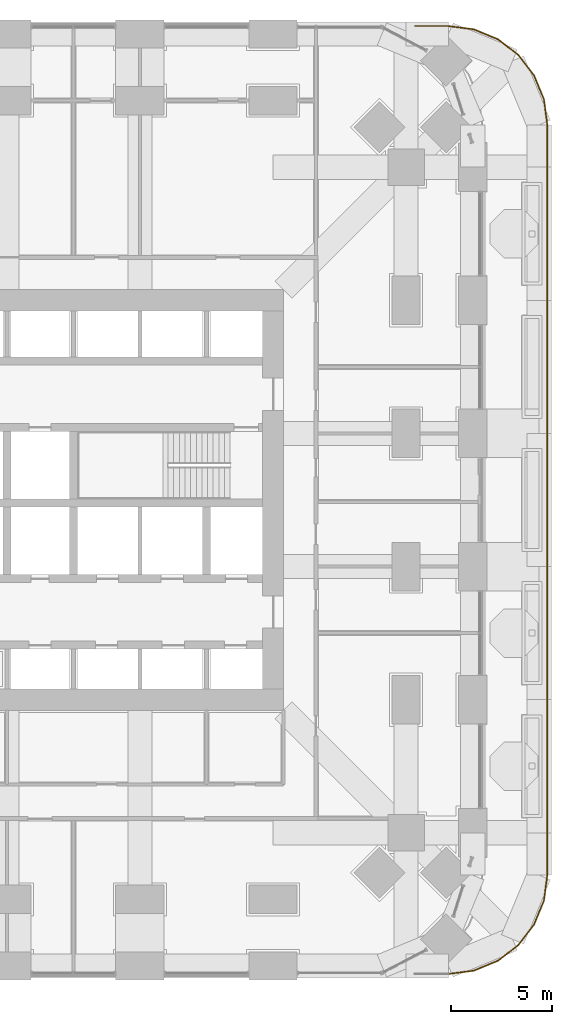
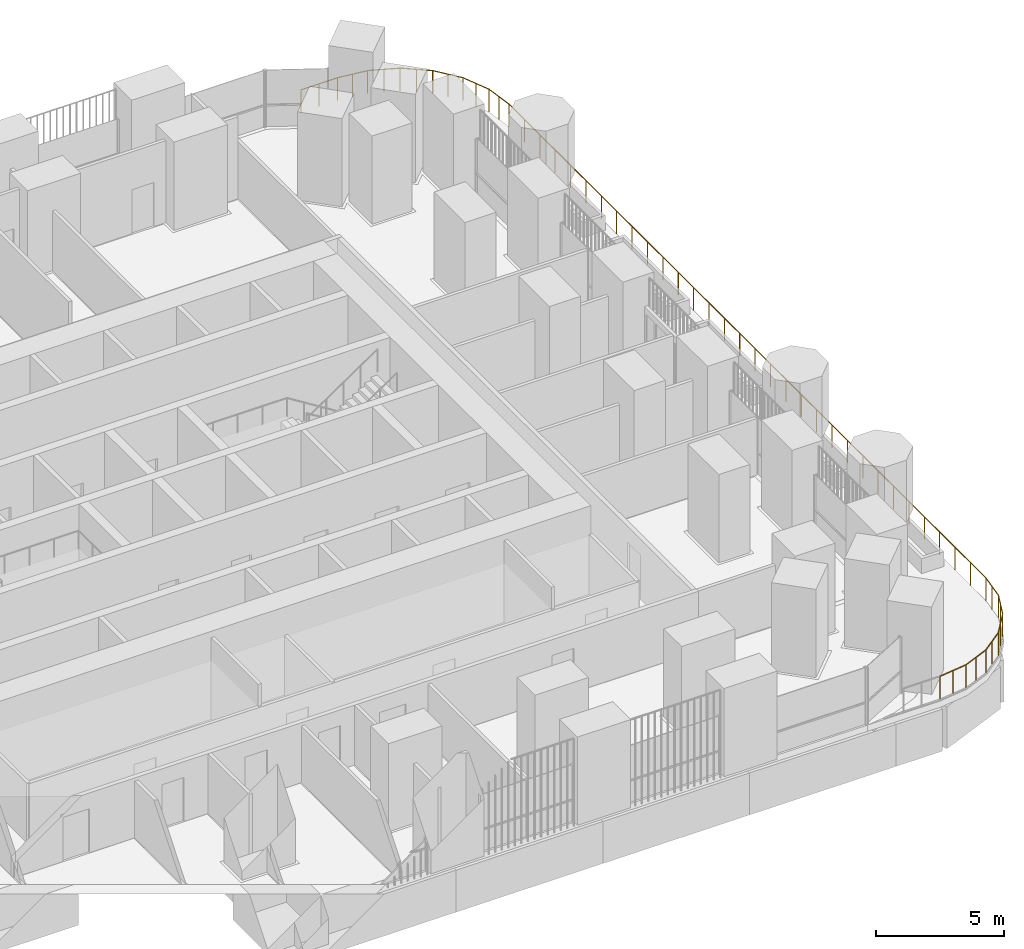
# One storey, part 25 of 27: 1 railing.
"""IFC4 building model written with IfcOpenShell, lengths in metres."""

from ifc_helpers import new_model, si_unit, direction, frame, origin, place, context, subcontext, project, spatial, polyline, outline, extrude, material, type_object, element, save


model = new_model("IFC4")

# Units and contexts
model_context = context("Model", 3, precision=1e-05, world=origin(), true_north=direction((0.0, 1.0)))
body_context = subcontext(model_context, "Body", "Model", "MODEL_VIEW")
ifc_project = project(units=[si_unit("LENGTHUNIT", "METRE"), si_unit("AREAUNIT", "SQUARE_METRE"), si_unit("VOLUMEUNIT", "CUBIC_METRE"), si_unit("PLANEANGLEUNIT", "RADIAN"), si_unit("MASSUNIT", "GRAM", prefix="KILO")], contexts=[model_context])

# Site, building, storey
site_placement = place(None, origin())
site = spatial("IfcSite", under=ifc_project, at=site_placement, CompositionType="ELEMENT")
building_placement = place(site_placement, origin())
building = spatial("IfcBuilding", under=site, at=building_placement, Name="Cobogo Forest Laboratory Tower", CompositionType="ELEMENT")
storey_placement = place(building_placement, frame((0.0, 0.0, 82.199951171875)))
storey = spatial("IfcBuildingStorey", under=building, at=storey_placement, Name="L18", CompositionType="ELEMENT", Elevation=82.199951171875)

# Railing
ifc_material = material(Name="Laminated glass balustrade", Category="glass")
railing_type = type_object("IfcRailingType", Name="BG1 glass balustrade 1100", PredefinedType="GUARDRAIL", material=ifc_material)
railing_placement = place(storey_placement, frame((48.296630859375, -0.39990234375, 0.06005859375)))
element("IfcRailing", 1, at=railing_placement, inside=storey, type_object=railing_type, Name="Terrace balustrade TER-E L18", PredefinedType="GUARDRAIL", context=body_context, shape_type="SweptSolid", body=[
    extrude(outline(polyline([(0.022216796875, 0.00927734375), (0.00927734375, 0.022216796875), (-0.00927734375, 0.022216796875), (-0.022216796875, 0.00927734375), (-0.022216796875, -0.00927734375), (-0.00927734375, -0.022216796875), (0.00927734375, -0.022216796875), (0.022216796875, -0.00927734375), (0.022216796875, 0.00927734375)])), frame((0.0, 0.0, 1.077880859375), z_axis=(0.991460773988, 0.130405266932, 0.0), x_axis=(-0.130405266932, 0.991460773988, 0.0)), (0.0, 0.0, 1.0), 1.282470703125),
    extrude(outline(polyline([(0.022216796875, 0.00927734375), (0.00927734375, 0.022216796875), (-0.00927734375, 0.022216796875), (-0.022216796875, 0.00927734375), (-0.022216796875, -0.00927734375), (-0.00927734375, -0.022216796875), (0.00927734375, -0.022216796875), (0.022216796875, -0.00927734375), (0.022216796875, 0.00927734375)])), frame((1.271484375, 0.167236328125, 1.077880859375), z_axis=(0.923865605463, 0.382717053503, 0.0), x_axis=(-0.382717053503, 0.923865605463, 0.0)), (0.0, 0.0, 1.0), 1.279052734375),
    extrude(outline(polyline([(0.022216796875, 0.00927734375), (0.00927734375, 0.022216796875), (-0.00927734375, 0.022216796875), (-0.022216796875, 0.00927734375), (-0.022216796875, -0.00927734375), (-0.00927734375, -0.022216796875), (0.00927734375, -0.022216796875), (0.022216796875, -0.00927734375), (0.022216796875, 0.00927734375)])), frame((2.453125, 0.65673828125, 1.077880859375), z_axis=(0.793354350931, 0.608760111915, 0.0), x_axis=(-0.608760111915, 0.793354350931, 0.0)), (0.0, 0.0, 1.0), 1.279052734375),
    extrude(outline(polyline([(0.022216796875, 0.00927734375), (0.00927734375, 0.022216796875), (-0.00927734375, 0.022216796875), (-0.022216796875, 0.00927734375), (-0.022216796875, -0.00927734375), (-0.00927734375, -0.022216796875), (0.00927734375, -0.022216796875), (0.022216796875, -0.00927734375), (0.022216796875, 0.00927734375)])), frame((3.4677734375, 1.435302734375, 1.077880859375), z_axis=(0.608788060185, 0.793332904761, 0.0), x_axis=(-0.793332904761, 0.608788060185, 0.0)), (0.0, 0.0, 1.0), 1.279296875),
    extrude(outline(polyline([(0.022216796875, 0.00927734375), (0.00927734375, 0.022216796875), (-0.00927734375, 0.022216796875), (-0.022216796875, 0.00927734375), (-0.022216796875, -0.00927734375), (-0.00927734375, -0.022216796875), (0.00927734375, -0.022216796875), (0.022216796875, -0.00927734375), (0.022216796875, 0.00927734375)])), frame((4.24658203125, 2.4501953125, 1.077880859375), z_axis=(0.382717053503, 0.923865605463, 0.0), x_axis=(-0.923865605463, 0.382717053503, 0.0)), (0.0, 0.0, 1.0), 1.279052734375),
    extrude(outline(polyline([(0.022216796875, 0.00927734375), (0.00927734375, 0.022216796875), (-0.00927734375, 0.022216796875), (-0.022216796875, 0.00927734375), (-0.022216796875, -0.00927734375), (-0.00927734375, -0.022216796875), (0.00927734375, -0.022216796875), (0.022216796875, -0.00927734375), (0.022216796875, 0.00927734375)])), frame((4.736083984375, 3.6318359375, 1.077880859375), z_axis=(0.130429885144, 0.991457535682, 0.0), x_axis=(-0.991457535682, 0.130429885144, 0.0)), (0.0, 0.0, 1.0), 1.2822265625),
    extrude(outline(polyline([(0.022216796875, 0.00927734375), (0.00927734375, 0.022216796875), (-0.00927734375, 0.022216796875), (-0.022216796875, 0.00927734375), (-0.022216796875, -0.00927734375), (-0.00927734375, -0.022216796875), (0.00927734375, -0.022216796875), (0.022216796875, -0.00927734375), (0.022216796875, 0.00927734375)])), frame((4.9033203125, 4.903076171875, 1.077880859375), z_axis=(0.0, 1.0, 0.0), x_axis=(-1.0, 0.0, 0.0)), (0.0, 0.0, 1.0), 37.193603515625),
    extrude(outline(polyline([(0.022216796875, 0.00927734375), (0.00927734375, 0.022216796875), (-0.00927734375, 0.022216796875), (-0.022216796875, 0.00927734375), (-0.022216796875, -0.00927734375), (-0.00927734375, -0.022216796875), (0.00927734375, -0.022216796875), (0.022216796875, -0.00927734375), (0.022216796875, 0.00927734375)])), frame((4.9033203125, 42.0966796875, 1.077880859375), z_axis=(-0.130429885144, 0.991457535682, 0.0), x_axis=(-0.991457535682, -0.130429885144, 0.0)), (0.0, 0.0, 1.0), 1.2822265625),
    extrude(outline(polyline([(0.022216796875, 0.00927734375), (0.00927734375, 0.022216796875), (-0.00927734375, 0.022216796875), (-0.022216796875, 0.00927734375), (-0.022216796875, -0.00927734375), (-0.00927734375, -0.022216796875), (0.00927734375, -0.022216796875), (0.022216796875, -0.00927734375), (0.022216796875, 0.00927734375)])), frame((4.736083984375, 43.367919921875, 1.077880859375), z_axis=(-0.382649572731, 0.923893556904, 0.0), x_axis=(-0.923893556904, -0.382649572731, 0.0)), (0.0, 0.0, 1.0), 1.279296875),
    extrude(outline(polyline([(0.022216796875, 0.00927734375), (0.00927734375, 0.022216796875), (-0.00927734375, 0.022216796875), (-0.022216796875, 0.00927734375), (-0.022216796875, -0.00927734375), (-0.00927734375, -0.022216796875), (0.00927734375, -0.022216796875), (0.022216796875, -0.00927734375), (0.022216796875, 0.00927734375)])), frame((4.24658203125, 44.5498046875, 1.077880859375), z_axis=(-0.608880241612, 0.793262158038, 0.0), x_axis=(-0.793262158038, -0.608880241612, 0.0)), (0.0, 0.0, 1.0), 1.279052734375),
    extrude(outline(polyline([(0.022216796875, 0.00927734375), (0.00927734375, 0.022216796875), (-0.00927734375, 0.022216796875), (-0.022216796875, 0.00927734375), (-0.022216796875, -0.00927734375), (-0.00927734375, -0.022216796875), (0.00927734375, -0.022216796875), (0.022216796875, -0.00927734375), (0.022216796875, 0.00927734375)])), frame((3.4677734375, 45.564453125, 1.077880859375), z_axis=(-0.793354350931, 0.608760111915, 0.0), x_axis=(-0.608760111915, -0.793354350931, 0.0)), (0.0, 0.0, 1.0), 1.279052734375),
    extrude(outline(polyline([(0.022216796875, 0.00927734375), (0.00927734375, 0.022216796875), (-0.00927734375, 0.022216796875), (-0.022216796875, 0.00927734375), (-0.022216796875, -0.00927734375), (-0.00927734375, -0.022216796875), (0.00927734375, -0.022216796875), (0.022216796875, -0.00927734375), (0.022216796875, 0.00927734375)])), frame((2.453125, 46.343017578125, 1.077880859375), z_axis=(-0.923865605463, 0.382717053503, 0.0), x_axis=(-0.382717053503, -0.923865605463, 0.0)), (0.0, 0.0, 1.0), 1.279052734375),
    extrude(outline(polyline([(0.022216796875, 0.00927734375), (0.00927734375, 0.022216796875), (-0.00927734375, 0.022216796875), (-0.022216796875, 0.00927734375), (-0.022216796875, -0.00927734375), (-0.00927734375, -0.022216796875), (0.00927734375, -0.022216796875), (0.022216796875, -0.00927734375), (0.022216796875, 0.00927734375)])), frame((1.271484375, 46.83251953125, 1.077880859375), z_axis=(-0.991436143334, 0.130592395224, 0.0), x_axis=(-0.130592395224, -0.991436143334, 0.0)), (0.0, 0.0, 1.0), 1.282470703125),
    extrude(outline(polyline([(0.022216796875, 0.00927734375), (0.00927734375, 0.022216796875), (-0.00927734375, 0.022216796875), (-0.022216796875, 0.00927734375), (-0.022216796875, -0.00927734375), (-0.00927734375, -0.022216796875), (0.00927734375, -0.022216796875), (0.022216796875, -0.00927734375), (0.022216796875, 0.00927734375)])), frame((0.0, 47.0, 1.077880859375), z_axis=(-1.0, 0.0, 0.0), x_axis=(0.0, -1.0, 0.0)), (0.0, 0.0, 1.0), 1.638671875),
    extrude(outline(polyline([(0.019287109375, 0.008056640625), (0.008056640625, 0.019287109375), (-0.008056640625, 0.019287109375), (-0.019287109375, 0.008056640625), (-0.019287109375, -0.008056640625), (-0.008056640625, -0.019287109375), (0.008056640625, -0.019287109375), (0.019287109375, -0.008056640625), (0.019287109375, 0.008056640625)])), origin(), (0.0, 0.0, 1.0), 1.077880859375),
    extrude(outline(polyline([(0.019287109375, 0.008056640625), (0.008056640625, 0.019287109375), (-0.008056640625, 0.019287109375), (-0.019287109375, 0.008056640625), (-0.019287109375, -0.008056640625), (-0.008056640625, -0.019287109375), (0.008056640625, -0.019287109375), (0.019287109375, -0.008056640625), (0.019287109375, 0.008056640625)])), frame((0.6357421875, 0.08349609375, 0.0)), (0.0, 0.0, 1.0), 1.077880859375),
    extrude(outline(polyline([(0.019287109375, 0.008056640625), (0.008056640625, 0.019287109375), (-0.008056640625, 0.019287109375), (-0.019287109375, 0.008056640625), (-0.019287109375, -0.008056640625), (-0.008056640625, -0.019287109375), (0.008056640625, -0.019287109375), (0.019287109375, -0.008056640625), (0.019287109375, 0.008056640625)])), frame((1.271484375, 0.167236328125, 0.0)), (0.0, 0.0, 1.0), 1.077880859375),
    extrude(outline(polyline([(0.019287109375, 0.008056640625), (0.008056640625, 0.019287109375), (-0.008056640625, 0.019287109375), (-0.019287109375, 0.008056640625), (-0.019287109375, -0.008056640625), (-0.008056640625, -0.019287109375), (0.008056640625, -0.019287109375), (0.019287109375, -0.008056640625), (0.019287109375, 0.008056640625)])), frame((1.8623046875, 0.412109375, 0.0)), (0.0, 0.0, 1.0), 1.077880859375),
    extrude(outline(polyline([(0.019287109375, 0.008056640625), (0.008056640625, 0.019287109375), (-0.008056640625, 0.019287109375), (-0.019287109375, 0.008056640625), (-0.019287109375, -0.008056640625), (-0.008056640625, -0.019287109375), (0.008056640625, -0.019287109375), (0.019287109375, -0.008056640625), (0.019287109375, 0.008056640625)])), frame((2.453125, 0.65673828125, 0.0)), (0.0, 0.0, 1.0), 1.077880859375),
    extrude(outline(polyline([(0.019287109375, 0.008056640625), (0.008056640625, 0.019287109375), (-0.008056640625, 0.019287109375), (-0.019287109375, 0.008056640625), (-0.019287109375, -0.008056640625), (-0.008056640625, -0.019287109375), (0.008056640625, -0.019287109375), (0.019287109375, -0.008056640625), (0.019287109375, 0.008056640625)])), frame((2.96044921875, 1.0458984375, 0.0)), (0.0, 0.0, 1.0), 1.077880859375),
    extrude(outline(polyline([(0.019287109375, 0.008056640625), (0.008056640625, 0.019287109375), (-0.008056640625, 0.019287109375), (-0.019287109375, 0.008056640625), (-0.019287109375, -0.008056640625), (-0.008056640625, -0.019287109375), (0.008056640625, -0.019287109375), (0.019287109375, -0.008056640625), (0.019287109375, 0.008056640625)])), frame((3.4677734375, 1.435302734375, 0.0)), (0.0, 0.0, 1.0), 1.077880859375),
    extrude(outline(polyline([(0.019287109375, 0.008056640625), (0.008056640625, 0.019287109375), (-0.008056640625, 0.019287109375), (-0.019287109375, 0.008056640625), (-0.019287109375, -0.008056640625), (-0.008056640625, -0.019287109375), (0.008056640625, -0.019287109375), (0.019287109375, -0.008056640625), (0.019287109375, 0.008056640625)])), frame((3.857177734375, 1.94287109375, 0.0)), (0.0, 0.0, 1.0), 1.077880859375),
    extrude(outline(polyline([(0.019287109375, 0.008056640625), (0.008056640625, 0.019287109375), (-0.008056640625, 0.019287109375), (-0.019287109375, 0.008056640625), (-0.019287109375, -0.008056640625), (-0.008056640625, -0.019287109375), (0.008056640625, -0.019287109375), (0.019287109375, -0.008056640625), (0.019287109375, 0.008056640625)])), frame((4.24658203125, 2.4501953125, 0.0)), (0.0, 0.0, 1.0), 1.077880859375),
    extrude(outline(polyline([(0.019287109375, 0.008056640625), (0.008056640625, 0.019287109375), (-0.008056640625, 0.019287109375), (-0.019287109375, 0.008056640625), (-0.019287109375, -0.008056640625), (-0.008056640625, -0.019287109375), (0.008056640625, -0.019287109375), (0.019287109375, -0.008056640625), (0.019287109375, 0.008056640625)])), frame((4.4912109375, 3.041015625, 0.0)), (0.0, 0.0, 1.0), 1.077880859375),
    extrude(outline(polyline([(0.019287109375, 0.008056640625), (0.008056640625, 0.019287109375), (-0.008056640625, 0.019287109375), (-0.019287109375, 0.008056640625), (-0.019287109375, -0.008056640625), (-0.008056640625, -0.019287109375), (0.008056640625, -0.019287109375), (0.019287109375, -0.008056640625), (0.019287109375, 0.008056640625)])), frame((4.736083984375, 3.6318359375, 0.0)), (0.0, 0.0, 1.0), 1.077880859375),
    extrude(outline(polyline([(0.019287109375, 0.008056640625), (0.008056640625, 0.019287109375), (-0.008056640625, 0.019287109375), (-0.019287109375, 0.008056640625), (-0.019287109375, -0.008056640625), (-0.008056640625, -0.019287109375), (0.008056640625, -0.019287109375), (0.019287109375, -0.008056640625), (0.019287109375, 0.008056640625)])), frame((4.81982421875, 4.267578125, 0.0)), (0.0, 0.0, 1.0), 1.077880859375),
    extrude(outline(polyline([(0.019287109375, 0.008056640625), (0.008056640625, 0.019287109375), (-0.008056640625, 0.019287109375), (-0.019287109375, 0.008056640625), (-0.019287109375, -0.008056640625), (-0.008056640625, -0.019287109375), (0.008056640625, -0.019287109375), (0.019287109375, -0.008056640625), (0.019287109375, 0.008056640625)])), frame((4.9033203125, 4.903076171875, 0.0)), (0.0, 0.0, 1.0), 1.077880859375),
    extrude(outline(polyline([(0.019287109375, 0.008056640625), (0.008056640625, 0.019287109375), (-0.008056640625, 0.019287109375), (-0.019287109375, 0.008056640625), (-0.019287109375, -0.008056640625), (-0.008056640625, -0.019287109375), (0.008056640625, -0.019287109375), (0.019287109375, -0.008056640625), (0.019287109375, 0.008056640625)])), frame((4.9033203125, 6.102783203125, 0.0)), (0.0, 0.0, 1.0), 1.077880859375),
    extrude(outline(polyline([(0.019287109375, 0.008056640625), (0.008056640625, 0.019287109375), (-0.008056640625, 0.019287109375), (-0.019287109375, 0.008056640625), (-0.019287109375, -0.008056640625), (-0.008056640625, -0.019287109375), (0.008056640625, -0.019287109375), (0.019287109375, -0.008056640625), (0.019287109375, 0.008056640625)])), frame((4.9033203125, 7.302734375, 0.0)), (0.0, 0.0, 1.0), 1.077880859375),
    extrude(outline(polyline([(0.019287109375, 0.008056640625), (0.008056640625, 0.019287109375), (-0.008056640625, 0.019287109375), (-0.019287109375, 0.008056640625), (-0.019287109375, -0.008056640625), (-0.008056640625, -0.019287109375), (0.008056640625, -0.019287109375), (0.019287109375, -0.008056640625), (0.019287109375, 0.008056640625)])), frame((4.9033203125, 8.50244140625, 0.0)), (0.0, 0.0, 1.0), 1.077880859375),
    extrude(outline(polyline([(0.019287109375, 0.008056640625), (0.008056640625, 0.019287109375), (-0.008056640625, 0.019287109375), (-0.019287109375, 0.008056640625), (-0.019287109375, -0.008056640625), (-0.008056640625, -0.019287109375), (0.008056640625, -0.019287109375), (0.019287109375, -0.008056640625), (0.019287109375, 0.008056640625)])), frame((4.9033203125, 9.7021484375, 0.0)), (0.0, 0.0, 1.0), 1.077880859375),
    extrude(outline(polyline([(0.019287109375, 0.008056640625), (0.008056640625, 0.019287109375), (-0.008056640625, 0.019287109375), (-0.019287109375, 0.008056640625), (-0.019287109375, -0.008056640625), (-0.008056640625, -0.019287109375), (0.008056640625, -0.019287109375), (0.019287109375, -0.008056640625), (0.019287109375, 0.008056640625)])), frame((4.9033203125, 10.902099609375, 0.0)), (0.0, 0.0, 1.0), 1.077880859375),
    extrude(outline(polyline([(0.019287109375, 0.008056640625), (0.008056640625, 0.019287109375), (-0.008056640625, 0.019287109375), (-0.019287109375, 0.008056640625), (-0.019287109375, -0.008056640625), (-0.008056640625, -0.019287109375), (0.008056640625, -0.019287109375), (0.019287109375, -0.008056640625), (0.019287109375, 0.008056640625)])), frame((4.9033203125, 12.101806640625, 0.0)), (0.0, 0.0, 1.0), 1.077880859375),
    extrude(outline(polyline([(0.019287109375, 0.008056640625), (0.008056640625, 0.019287109375), (-0.008056640625, 0.019287109375), (-0.019287109375, 0.008056640625), (-0.019287109375, -0.008056640625), (-0.008056640625, -0.019287109375), (0.008056640625, -0.019287109375), (0.019287109375, -0.008056640625), (0.019287109375, 0.008056640625)])), frame((4.9033203125, 13.301513671875, 0.0)), (0.0, 0.0, 1.0), 1.077880859375),
    extrude(outline(polyline([(0.019287109375, 0.008056640625), (0.008056640625, 0.019287109375), (-0.008056640625, 0.019287109375), (-0.019287109375, 0.008056640625), (-0.019287109375, -0.008056640625), (-0.008056640625, -0.019287109375), (0.008056640625, -0.019287109375), (0.019287109375, -0.008056640625), (0.019287109375, 0.008056640625)])), frame((4.9033203125, 14.50146484375, 0.0)), (0.0, 0.0, 1.0), 1.077880859375),
    extrude(outline(polyline([(0.019287109375, 0.008056640625), (0.008056640625, 0.019287109375), (-0.008056640625, 0.019287109375), (-0.019287109375, 0.008056640625), (-0.019287109375, -0.008056640625), (-0.008056640625, -0.019287109375), (0.008056640625, -0.019287109375), (0.019287109375, -0.008056640625), (0.019287109375, 0.008056640625)])), frame((4.9033203125, 15.701171875, 0.0)), (0.0, 0.0, 1.0), 1.077880859375),
    extrude(outline(polyline([(0.019287109375, 0.008056640625), (0.008056640625, 0.019287109375), (-0.008056640625, 0.019287109375), (-0.019287109375, 0.008056640625), (-0.019287109375, -0.008056640625), (-0.008056640625, -0.019287109375), (0.008056640625, -0.019287109375), (0.019287109375, -0.008056640625), (0.019287109375, 0.008056640625)])), frame((4.9033203125, 16.901123046875, 0.0)), (0.0, 0.0, 1.0), 1.077880859375),
    extrude(outline(polyline([(0.019287109375, 0.008056640625), (0.008056640625, 0.019287109375), (-0.008056640625, 0.019287109375), (-0.019287109375, 0.008056640625), (-0.019287109375, -0.008056640625), (-0.008056640625, -0.019287109375), (0.008056640625, -0.019287109375), (0.019287109375, -0.008056640625), (0.019287109375, 0.008056640625)])), frame((4.9033203125, 18.100830078125, 0.0)), (0.0, 0.0, 1.0), 1.077880859375),
    extrude(outline(polyline([(0.019287109375, 0.008056640625), (0.008056640625, 0.019287109375), (-0.008056640625, 0.019287109375), (-0.019287109375, 0.008056640625), (-0.019287109375, -0.008056640625), (-0.008056640625, -0.019287109375), (0.008056640625, -0.019287109375), (0.019287109375, -0.008056640625), (0.019287109375, 0.008056640625)])), frame((4.9033203125, 19.300537109375, 0.0)), (0.0, 0.0, 1.0), 1.077880859375),
    extrude(outline(polyline([(0.019287109375, 0.008056640625), (0.008056640625, 0.019287109375), (-0.008056640625, 0.019287109375), (-0.019287109375, 0.008056640625), (-0.019287109375, -0.008056640625), (-0.008056640625, -0.019287109375), (0.008056640625, -0.019287109375), (0.019287109375, -0.008056640625), (0.019287109375, 0.008056640625)])), frame((4.9033203125, 20.50048828125, 0.0)), (0.0, 0.0, 1.0), 1.077880859375),
    extrude(outline(polyline([(0.019287109375, 0.008056640625), (0.008056640625, 0.019287109375), (-0.008056640625, 0.019287109375), (-0.019287109375, 0.008056640625), (-0.019287109375, -0.008056640625), (-0.008056640625, -0.019287109375), (0.008056640625, -0.019287109375), (0.019287109375, -0.008056640625), (0.019287109375, 0.008056640625)])), frame((4.9033203125, 21.7001953125, 0.0)), (0.0, 0.0, 1.0), 1.077880859375),
    extrude(outline(polyline([(0.019287109375, 0.008056640625), (0.008056640625, 0.019287109375), (-0.008056640625, 0.019287109375), (-0.019287109375, 0.008056640625), (-0.019287109375, -0.008056640625), (-0.008056640625, -0.019287109375), (0.008056640625, -0.019287109375), (0.019287109375, -0.008056640625), (0.019287109375, 0.008056640625)])), frame((4.9033203125, 22.89990234375, 0.0)), (0.0, 0.0, 1.0), 1.077880859375),
    extrude(outline(polyline([(0.019287109375, 0.008056640625), (0.008056640625, 0.019287109375), (-0.008056640625, 0.019287109375), (-0.019287109375, 0.008056640625), (-0.019287109375, -0.008056640625), (-0.008056640625, -0.019287109375), (0.008056640625, -0.019287109375), (0.019287109375, -0.008056640625), (0.019287109375, 0.008056640625)])), frame((4.9033203125, 24.099853515625, 0.0)), (0.0, 0.0, 1.0), 1.077880859375),
    extrude(outline(polyline([(0.019287109375, 0.008056640625), (0.008056640625, 0.019287109375), (-0.008056640625, 0.019287109375), (-0.019287109375, 0.008056640625), (-0.019287109375, -0.008056640625), (-0.008056640625, -0.019287109375), (0.008056640625, -0.019287109375), (0.019287109375, -0.008056640625), (0.019287109375, 0.008056640625)])), frame((4.9033203125, 25.299560546875, 0.0)), (0.0, 0.0, 1.0), 1.077880859375),
    extrude(outline(polyline([(0.019287109375, 0.008056640625), (0.008056640625, 0.019287109375), (-0.008056640625, 0.019287109375), (-0.019287109375, 0.008056640625), (-0.019287109375, -0.008056640625), (-0.008056640625, -0.019287109375), (0.008056640625, -0.019287109375), (0.019287109375, -0.008056640625), (0.019287109375, 0.008056640625)])), frame((4.9033203125, 26.499267578125, 0.0)), (0.0, 0.0, 1.0), 1.077880859375),
    extrude(outline(polyline([(0.019287109375, 0.008056640625), (0.008056640625, 0.019287109375), (-0.008056640625, 0.019287109375), (-0.019287109375, 0.008056640625), (-0.019287109375, -0.008056640625), (-0.008056640625, -0.019287109375), (0.008056640625, -0.019287109375), (0.019287109375, -0.008056640625), (0.019287109375, 0.008056640625)])), frame((4.9033203125, 27.69921875, 0.0)), (0.0, 0.0, 1.0), 1.077880859375),
    extrude(outline(polyline([(0.019287109375, 0.008056640625), (0.008056640625, 0.019287109375), (-0.008056640625, 0.019287109375), (-0.019287109375, 0.008056640625), (-0.019287109375, -0.008056640625), (-0.008056640625, -0.019287109375), (0.008056640625, -0.019287109375), (0.019287109375, -0.008056640625), (0.019287109375, 0.008056640625)])), frame((4.9033203125, 28.89892578125, 0.0)), (0.0, 0.0, 1.0), 1.077880859375),
    extrude(outline(polyline([(0.019287109375, 0.008056640625), (0.008056640625, 0.019287109375), (-0.008056640625, 0.019287109375), (-0.019287109375, 0.008056640625), (-0.019287109375, -0.008056640625), (-0.008056640625, -0.019287109375), (0.008056640625, -0.019287109375), (0.019287109375, -0.008056640625), (0.019287109375, 0.008056640625)])), frame((4.9033203125, 30.0986328125, 0.0)), (0.0, 0.0, 1.0), 1.077880859375),
    extrude(outline(polyline([(0.019287109375, 0.008056640625), (0.008056640625, 0.019287109375), (-0.008056640625, 0.019287109375), (-0.019287109375, 0.008056640625), (-0.019287109375, -0.008056640625), (-0.008056640625, -0.019287109375), (0.008056640625, -0.019287109375), (0.019287109375, -0.008056640625), (0.019287109375, 0.008056640625)])), frame((4.9033203125, 31.298583984375, 0.0)), (0.0, 0.0, 1.0), 1.077880859375),
    extrude(outline(polyline([(0.019287109375, 0.008056640625), (0.008056640625, 0.019287109375), (-0.008056640625, 0.019287109375), (-0.019287109375, 0.008056640625), (-0.019287109375, -0.008056640625), (-0.008056640625, -0.019287109375), (0.008056640625, -0.019287109375), (0.019287109375, -0.008056640625), (0.019287109375, 0.008056640625)])), frame((4.9033203125, 32.498291015625, 0.0)), (0.0, 0.0, 1.0), 1.077880859375),
    extrude(outline(polyline([(0.019287109375, 0.008056640625), (0.008056640625, 0.019287109375), (-0.008056640625, 0.019287109375), (-0.019287109375, 0.008056640625), (-0.019287109375, -0.008056640625), (-0.008056640625, -0.019287109375), (0.008056640625, -0.019287109375), (0.019287109375, -0.008056640625), (0.019287109375, 0.008056640625)])), frame((4.9033203125, 33.6982421875, 0.0)), (0.0, 0.0, 1.0), 1.077880859375),
    extrude(outline(polyline([(0.019287109375, 0.008056640625), (0.008056640625, 0.019287109375), (-0.008056640625, 0.019287109375), (-0.019287109375, 0.008056640625), (-0.019287109375, -0.008056640625), (-0.008056640625, -0.019287109375), (0.008056640625, -0.019287109375), (0.019287109375, -0.008056640625), (0.019287109375, 0.008056640625)])), frame((4.9033203125, 34.89794921875, 0.0)), (0.0, 0.0, 1.0), 1.077880859375),
    extrude(outline(polyline([(0.019287109375, 0.008056640625), (0.008056640625, 0.019287109375), (-0.008056640625, 0.019287109375), (-0.019287109375, 0.008056640625), (-0.019287109375, -0.008056640625), (-0.008056640625, -0.019287109375), (0.008056640625, -0.019287109375), (0.019287109375, -0.008056640625), (0.019287109375, 0.008056640625)])), frame((4.9033203125, 36.09765625, 0.0)), (0.0, 0.0, 1.0), 1.077880859375),
    extrude(outline(polyline([(0.019287109375, 0.008056640625), (0.008056640625, 0.019287109375), (-0.008056640625, 0.019287109375), (-0.019287109375, 0.008056640625), (-0.019287109375, -0.008056640625), (-0.008056640625, -0.019287109375), (0.008056640625, -0.019287109375), (0.019287109375, -0.008056640625), (0.019287109375, 0.008056640625)])), frame((4.9033203125, 37.297607421875, 0.0)), (0.0, 0.0, 1.0), 1.077880859375),
    extrude(outline(polyline([(0.019287109375, 0.008056640625), (0.008056640625, 0.019287109375), (-0.008056640625, 0.019287109375), (-0.019287109375, 0.008056640625), (-0.019287109375, -0.008056640625), (-0.008056640625, -0.019287109375), (0.008056640625, -0.019287109375), (0.019287109375, -0.008056640625), (0.019287109375, 0.008056640625)])), frame((4.9033203125, 38.497314453125, 0.0)), (0.0, 0.0, 1.0), 1.077880859375),
    extrude(outline(polyline([(0.019287109375, 0.008056640625), (0.008056640625, 0.019287109375), (-0.008056640625, 0.019287109375), (-0.019287109375, 0.008056640625), (-0.019287109375, -0.008056640625), (-0.008056640625, -0.019287109375), (0.008056640625, -0.019287109375), (0.019287109375, -0.008056640625), (0.019287109375, 0.008056640625)])), frame((4.9033203125, 39.697021484375, 0.0)), (0.0, 0.0, 1.0), 1.077880859375),
    extrude(outline(polyline([(0.019287109375, 0.008056640625), (0.008056640625, 0.019287109375), (-0.008056640625, 0.019287109375), (-0.019287109375, 0.008056640625), (-0.019287109375, -0.008056640625), (-0.008056640625, -0.019287109375), (0.008056640625, -0.019287109375), (0.019287109375, -0.008056640625), (0.019287109375, 0.008056640625)])), frame((4.9033203125, 40.89697265625, 0.0)), (0.0, 0.0, 1.0), 1.077880859375),
    extrude(outline(polyline([(0.019287109375, 0.008056640625), (0.008056640625, 0.019287109375), (-0.008056640625, 0.019287109375), (-0.019287109375, 0.008056640625), (-0.019287109375, -0.008056640625), (-0.008056640625, -0.019287109375), (0.008056640625, -0.019287109375), (0.019287109375, -0.008056640625), (0.019287109375, 0.008056640625)])), frame((4.9033203125, 42.0966796875, 0.0)), (0.0, 0.0, 1.0), 1.077880859375),
    extrude(outline(polyline([(0.019287109375, 0.008056640625), (0.008056640625, 0.019287109375), (-0.008056640625, 0.019287109375), (-0.019287109375, 0.008056640625), (-0.019287109375, -0.008056640625), (-0.008056640625, -0.019287109375), (0.008056640625, -0.019287109375), (0.019287109375, -0.008056640625), (0.019287109375, 0.008056640625)])), frame((4.81982421875, 42.732421875, 0.0)), (0.0, 0.0, 1.0), 1.077880859375),
    extrude(outline(polyline([(0.019287109375, 0.008056640625), (0.008056640625, 0.019287109375), (-0.008056640625, 0.019287109375), (-0.019287109375, 0.008056640625), (-0.019287109375, -0.008056640625), (-0.008056640625, -0.019287109375), (0.008056640625, -0.019287109375), (0.019287109375, -0.008056640625), (0.019287109375, 0.008056640625)])), frame((4.736083984375, 43.367919921875, 0.0)), (0.0, 0.0, 1.0), 1.077880859375),
    extrude(outline(polyline([(0.019287109375, 0.008056640625), (0.008056640625, 0.019287109375), (-0.008056640625, 0.019287109375), (-0.019287109375, 0.008056640625), (-0.019287109375, -0.008056640625), (-0.008056640625, -0.019287109375), (0.008056640625, -0.019287109375), (0.019287109375, -0.008056640625), (0.019287109375, 0.008056640625)])), frame((4.4912109375, 43.958984375, 0.0)), (0.0, 0.0, 1.0), 1.077880859375),
    extrude(outline(polyline([(0.019287109375, 0.008056640625), (0.008056640625, 0.019287109375), (-0.008056640625, 0.019287109375), (-0.019287109375, 0.008056640625), (-0.019287109375, -0.008056640625), (-0.008056640625, -0.019287109375), (0.008056640625, -0.019287109375), (0.019287109375, -0.008056640625), (0.019287109375, 0.008056640625)])), frame((4.24658203125, 44.5498046875, 0.0)), (0.0, 0.0, 1.0), 1.077880859375),
    extrude(outline(polyline([(0.019287109375, 0.008056640625), (0.008056640625, 0.019287109375), (-0.008056640625, 0.019287109375), (-0.019287109375, 0.008056640625), (-0.019287109375, -0.008056640625), (-0.008056640625, -0.019287109375), (0.008056640625, -0.019287109375), (0.019287109375, -0.008056640625), (0.019287109375, 0.008056640625)])), frame((3.857177734375, 45.05712890625, 0.0)), (0.0, 0.0, 1.0), 1.077880859375),
    extrude(outline(polyline([(0.019287109375, 0.008056640625), (0.008056640625, 0.019287109375), (-0.008056640625, 0.019287109375), (-0.019287109375, 0.008056640625), (-0.019287109375, -0.008056640625), (-0.008056640625, -0.019287109375), (0.008056640625, -0.019287109375), (0.019287109375, -0.008056640625), (0.019287109375, 0.008056640625)])), frame((3.4677734375, 45.564453125, 0.0)), (0.0, 0.0, 1.0), 1.077880859375),
    extrude(outline(polyline([(0.019287109375, 0.008056640625), (0.008056640625, 0.019287109375), (-0.008056640625, 0.019287109375), (-0.019287109375, 0.008056640625), (-0.019287109375, -0.008056640625), (-0.008056640625, -0.019287109375), (0.008056640625, -0.019287109375), (0.019287109375, -0.008056640625), (0.019287109375, 0.008056640625)])), frame((2.96044921875, 45.95361328125, 0.0)), (0.0, 0.0, 1.0), 1.077880859375),
    extrude(outline(polyline([(0.019287109375, 0.008056640625), (0.008056640625, 0.019287109375), (-0.008056640625, 0.019287109375), (-0.019287109375, 0.008056640625), (-0.019287109375, -0.008056640625), (-0.008056640625, -0.019287109375), (0.008056640625, -0.019287109375), (0.019287109375, -0.008056640625), (0.019287109375, 0.008056640625)])), frame((2.453125, 46.343017578125, 0.0)), (0.0, 0.0, 1.0), 1.077880859375),
    extrude(outline(polyline([(0.019287109375, 0.008056640625), (0.008056640625, 0.019287109375), (-0.008056640625, 0.019287109375), (-0.019287109375, 0.008056640625), (-0.019287109375, -0.008056640625), (-0.008056640625, -0.019287109375), (0.008056640625, -0.019287109375), (0.019287109375, -0.008056640625), (0.019287109375, 0.008056640625)])), frame((1.8623046875, 46.587890625, 0.0)), (0.0, 0.0, 1.0), 1.077880859375),
    extrude(outline(polyline([(0.019287109375, 0.008056640625), (0.008056640625, 0.019287109375), (-0.008056640625, 0.019287109375), (-0.019287109375, 0.008056640625), (-0.019287109375, -0.008056640625), (-0.008056640625, -0.019287109375), (0.008056640625, -0.019287109375), (0.019287109375, -0.008056640625), (0.019287109375, 0.008056640625)])), frame((1.271484375, 46.83251953125, 0.0)), (0.0, 0.0, 1.0), 1.077880859375),
    extrude(outline(polyline([(0.019287109375, 0.008056640625), (0.008056640625, 0.019287109375), (-0.008056640625, 0.019287109375), (-0.019287109375, 0.008056640625), (-0.019287109375, -0.008056640625), (-0.008056640625, -0.019287109375), (0.008056640625, -0.019287109375), (0.019287109375, -0.008056640625), (0.019287109375, 0.008056640625)])), frame((0.6357421875, 46.916259765625, 0.0)), (0.0, 0.0, 1.0), 1.077880859375),
    extrude(outline(polyline([(0.019287109375, 0.008056640625), (0.008056640625, 0.019287109375), (-0.008056640625, 0.019287109375), (-0.019287109375, 0.008056640625), (-0.019287109375, -0.008056640625), (-0.008056640625, -0.019287109375), (0.008056640625, -0.019287109375), (0.019287109375, -0.008056640625), (0.019287109375, 0.008056640625)])), frame((0.0, 47.0, 0.0)), (0.0, 0.0, 1.0), 1.077880859375),
    extrude(outline(polyline([(0.019287109375, 0.008056640625), (0.008056640625, 0.019287109375), (-0.008056640625, 0.019287109375), (-0.019287109375, 0.008056640625), (-0.019287109375, -0.008056640625), (-0.008056640625, -0.019287109375), (0.008056640625, -0.019287109375), (0.019287109375, -0.008056640625), (0.019287109375, 0.008056640625)])), frame((-0.8193359375, 47.0, 0.0)), (0.0, 0.0, 1.0), 1.077880859375),
    extrude(outline(polyline([(0.019287109375, 0.008056640625), (0.008056640625, 0.019287109375), (-0.008056640625, 0.019287109375), (-0.019287109375, 0.008056640625), (-0.019287109375, -0.008056640625), (-0.008056640625, -0.019287109375), (0.008056640625, -0.019287109375), (0.019287109375, -0.008056640625), (0.019287109375, 0.008056640625)])), frame((-1.638671875, 47.0, 0.0)), (0.0, 0.0, 1.0), 1.077880859375),
])

save(model, "model.ifc")
